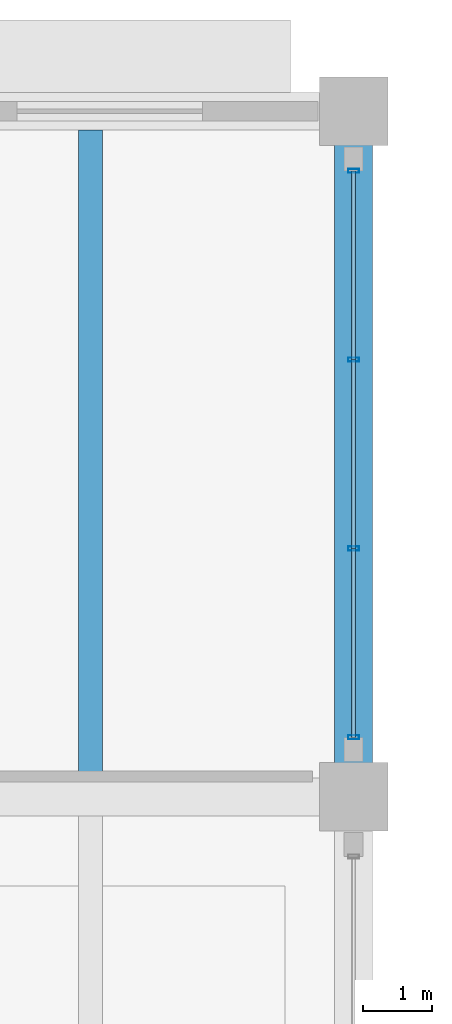
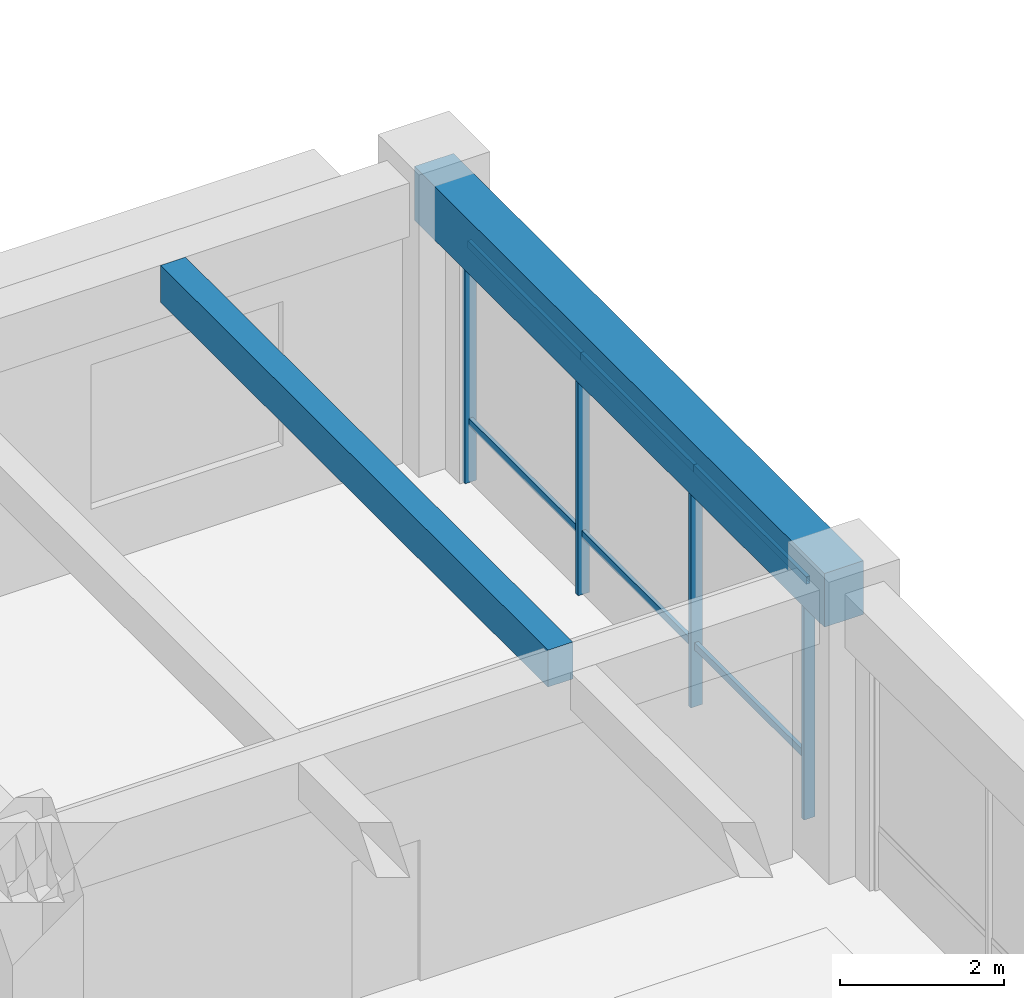
# One storey, part 90 of 154: 10 members, 2 beams, 1 element without a shape of its own.
"""IFC4 building model written with IfcOpenShell, lengths in metres."""

from ifc_helpers import new_model, si_unit, direction, frame, origin, origin_2d, place, context, subcontext, project, spatial, rectangle, hollow_rectangle, extrude, material, material_profile, profile_set, type_object, element, aggregate, save


model = new_model("IFC4")

# Units and contexts
model_context = context("Model", 3, precision=1e-05, world=origin(), true_north=direction((0.0, 1.0)))
body_context = subcontext(model_context, "Body", "Model", "MODEL_VIEW")
ifc_project = project(units=[si_unit("LENGTHUNIT", "METRE"), si_unit("AREAUNIT", "SQUARE_METRE"), si_unit("VOLUMEUNIT", "CUBIC_METRE"), si_unit("PLANEANGLEUNIT", "RADIAN"), si_unit("MASSUNIT", "GRAM", prefix="KILO")], contexts=[model_context])

# Site, building, storey
site_placement = place(None, origin())
site = spatial("IfcSite", under=ifc_project, at=site_placement, CompositionType="ELEMENT")
building_placement = place(site_placement, origin())
building = spatial("IfcBuilding", under=site, at=building_placement, Name="Ologun Quay Terminus", CompositionType="ELEMENT")
storey_placement = place(building_placement, frame((0.0, 0.0, 13.800048828125)))
storey = spatial("IfcBuildingStorey", under=building, at=storey_placement, Name="L03", CompositionType="ELEMENT", Elevation=13.800048828125)

# Curtain wall, members
ifc_material_1 = material(Name="Aluminium 6063-T6", Category="aluminium")
curtain_wall_type = type_object("IfcCurtainWallType", Name="Rain-Garden West Courtyard Curtain Wall L03 8200x4150", PredefinedType="USERDEFINED", material=ifc_material_1)
curtain_wall_placement = place(storey_placement, origin())
curtain_wall = element("IfcCurtainWall", 1, at=curtain_wall_placement, inside=storey, type_object=curtain_wall_type, Name="CW-16 Curtain Wall CW-L03-113", ObjectType="UNITISED CURTAIN WALL", PredefinedType="USERDEFINED")
ifc_material_2 = material(Name="Aluminium 6063-T6", Category="aluminium")
ifc_material_profile_1 = material_profile(ifc_material_2, hollow_rectangle(XDim=0.06005859375, YDim=0.159912109375, WallThickness=0.00390625, at=origin_2d()), Name="ALU 160x60x4")
ifc_profile_set_1 = profile_set([ifc_material_profile_1], Name="Aluminium 6063-T6")
member_type_1 = type_object("IfcMemberType", Name="Courtyard Screen Mullion 160x65", PredefinedType="MULLION", material=ifc_profile_set_1)
member_1_placement = place(storey_placement, frame((69.0, 105.669921875, 0.0), z_axis=(0.0, 0.0, 1.0), x_axis=(0.0, 1.0, 0.0)))
member_1 = element("IfcMember", 2, at=member_1_placement, type_object=member_type_1, Name="CW-L03-113 Mullion 1", PredefinedType="MULLION", context=body_context, shape_type="SweptSolid", body=[
    extrude(hollow_rectangle(XDim=0.06005859375, YDim=0.159912109375, WallThickness=0.00390625, at=origin_2d()), origin(), (0.0, 0.0, 1.0), 4.22998046875),
])
member_2_placement = place(storey_placement, frame((69.0, 108.42333984375, 0.0), z_axis=(0.0, 0.0, 1.0), x_axis=(0.0, 1.0, 0.0)))
member_2 = element("IfcMember", 3, at=member_2_placement, type_object=member_type_1, Name="CW-L03-113 Mullion 2", PredefinedType="MULLION", context=body_context, shape_type="SweptSolid", body=[
    extrude(hollow_rectangle(XDim=0.06005859375, YDim=0.159912109375, WallThickness=0.00390625, at=origin_2d()), origin(), (0.0, 0.0, 1.0), 4.22998046875),
])
member_3_placement = place(storey_placement, frame((69.0, 111.1767578125, 0.0), z_axis=(0.0, 0.0, 1.0), x_axis=(0.0, 1.0, 0.0)))
member_3 = element("IfcMember", 4, at=member_3_placement, type_object=member_type_1, Name="CW-L03-113 Mullion 3", PredefinedType="MULLION", context=body_context, shape_type="SweptSolid", body=[
    extrude(hollow_rectangle(XDim=0.06005859375, YDim=0.159912109375, WallThickness=0.00390625, at=origin_2d()), origin(), (0.0, 0.0, 1.0), 4.22998046875),
])
member_4_placement = place(storey_placement, frame((69.0, 113.929931640625, 0.0), z_axis=(0.0, 0.0, 1.0), x_axis=(0.0, 1.0, 0.0)))
member_4 = element("IfcMember", 5, at=member_4_placement, type_object=member_type_1, Name="CW-L03-113 Mullion 4", PredefinedType="MULLION", context=body_context, shape_type="SweptSolid", body=[
    extrude(hollow_rectangle(XDim=0.06005859375, YDim=0.159912109375, WallThickness=0.00390625, at=origin_2d()), origin(), (0.0, 0.0, 1.0), 4.22998046875),
])
ifc_material_3 = material(Name="Aluminium 6063-T6", Category="aluminium")
ifc_material_profile_2 = material_profile(ifc_material_3, hollow_rectangle(XDim=0.054931640625, YDim=0.110107421875, WallThickness=0.00390625, at=origin_2d()), Name="ALU 110x55x4")
ifc_profile_set_2 = profile_set([ifc_material_profile_2], Name="Aluminium 6063-T6")
member_type_2 = type_object("IfcMemberType", Name="Courtyard Screen Transom 110x55", PredefinedType="USERDEFINED", material=ifc_profile_set_2)
member_5_placement = place(storey_placement, frame((69.0, 105.669921875, 0.89990234375), z_axis=(0.0, 1.0, 0.0), x_axis=(-1.0, 0.0, 0.0)))
member_5 = element("IfcMember", 6, at=member_5_placement, type_object=member_type_2, Name="CW-L03-113 Transom B1-1", ObjectType="TRANSOM", PredefinedType="USERDEFINED", context=body_context, shape_type="SweptSolid", body=[
    extrude(hollow_rectangle(XDim=0.054931640625, YDim=0.110107421875, WallThickness=0.00390625, at=origin_2d()), origin(), (0.0, 0.0, 1.0), 2.75341796875),
])
member_6_placement = place(storey_placement, frame((69.0, 105.669921875, 3.530029296875), z_axis=(0.0, 1.0, 0.0), x_axis=(-1.0, 0.0, 0.0)))
member_6 = element("IfcMember", 7, at=member_6_placement, type_object=member_type_2, Name="CW-L03-113 Transom B1-2", ObjectType="TRANSOM", PredefinedType="USERDEFINED", context=body_context, shape_type="SweptSolid", body=[
    extrude(hollow_rectangle(XDim=0.054931640625, YDim=0.110107421875, WallThickness=0.00390625, at=origin_2d()), origin(), (0.0, 0.0, 1.0), 2.75341796875),
])
member_7_placement = place(storey_placement, frame((69.0, 108.42333984375, 0.89990234375), z_axis=(0.0, 1.0, 0.0), x_axis=(-1.0, 0.0, 0.0)))
member_7 = element("IfcMember", 8, at=member_7_placement, type_object=member_type_2, Name="CW-L03-113 Transom B2-1", ObjectType="TRANSOM", PredefinedType="USERDEFINED", context=body_context, shape_type="SweptSolid", body=[
    extrude(hollow_rectangle(XDim=0.054931640625, YDim=0.110107421875, WallThickness=0.00390625, at=origin_2d()), origin(), (0.0, 0.0, 1.0), 2.75341796875),
])
member_8_placement = place(storey_placement, frame((69.0, 108.42333984375, 3.530029296875), z_axis=(0.0, 1.0, 0.0), x_axis=(-1.0, 0.0, 0.0)))
member_8 = element("IfcMember", 9, at=member_8_placement, type_object=member_type_2, Name="CW-L03-113 Transom B2-2", ObjectType="TRANSOM", PredefinedType="USERDEFINED", context=body_context, shape_type="SweptSolid", body=[
    extrude(hollow_rectangle(XDim=0.054931640625, YDim=0.110107421875, WallThickness=0.00390625, at=origin_2d()), origin(), (0.0, 0.0, 1.0), 2.75341796875),
])
member_9_placement = place(storey_placement, frame((69.0, 111.1767578125, 0.89990234375), z_axis=(0.0, 1.0, 0.0), x_axis=(-1.0, 0.0, 0.0)))
member_9 = element("IfcMember", 10, at=member_9_placement, type_object=member_type_2, Name="CW-L03-113 Transom B3-1", ObjectType="TRANSOM", PredefinedType="USERDEFINED", context=body_context, shape_type="SweptSolid", body=[
    extrude(hollow_rectangle(XDim=0.054931640625, YDim=0.110107421875, WallThickness=0.00390625, at=origin_2d()), origin(), (0.0, 0.0, 1.0), 2.753173828125),
])
member_10_placement = place(storey_placement, frame((69.0, 111.1767578125, 3.530029296875), z_axis=(0.0, 1.0, 0.0), x_axis=(-1.0, 0.0, 0.0)))
member_10 = element("IfcMember", 11, at=member_10_placement, type_object=member_type_2, Name="CW-L03-113 Transom B3-2", ObjectType="TRANSOM", PredefinedType="USERDEFINED", context=body_context, shape_type="SweptSolid", body=[
    extrude(hollow_rectangle(XDim=0.054931640625, YDim=0.110107421875, WallThickness=0.00390625, at=origin_2d()), origin(), (0.0, 0.0, 1.0), 2.753173828125),
])
aggregate(curtain_wall, [member_1, member_2, member_3, member_4, member_5, member_6, member_7, member_8, member_9, member_10])

# Beams
ifc_material_4 = material(Name="Concrete C40/50", Category="concrete")
ifc_material_profile_3 = material_profile(ifc_material_4, rectangle(XDim=0.550048828125, YDim=0.800048828125, at=origin_2d()), Name="RC 550x800")
ifc_profile_set_3 = profile_set([ifc_material_profile_3], Name="Concrete C40/50")
beam_type_1 = type_object("IfcBeamType", Name="Courtyard Wing Primary Girder 550x800", PredefinedType="BEAM", material=ifc_profile_set_3)
beam_1_placement = place(storey_placement, frame((69.0, 104.800048828125, 3.849853515625), z_axis=(0.0, 1.0, 0.0), x_axis=(-1.0, 0.0, 0.0)))
element("IfcBeam", 12, at=beam_1_placement, inside=storey, type_object=beam_type_1, Name="B4 Beam 7/J L03", PredefinedType="BEAM", context=body_context, shape_type="SweptSolid", body=[
    extrude(rectangle(XDim=0.550048828125, YDim=0.800048828125, at=origin_2d()), origin(), (0.0, 0.0, 1.0), 10.0),
])
ifc_material_5 = material(Name="Concrete C40/50", Category="concrete")
ifc_material_profile_4 = material_profile(ifc_material_5, rectangle(XDim=0.35009765625, YDim=0.550048828125, at=origin_2d()), Name="RC 350x550")
ifc_profile_set_4 = profile_set([ifc_material_profile_4], Name="Concrete C40/50")
beam_type_2 = type_object("IfcBeamType", Name="Courtyard Wing Secondary Joist 350x550", PredefinedType="JOIST", material=ifc_profile_set_4)
beam_2_placement = place(storey_placement, frame((65.166748046875, 105.074951171875, 3.974853515625), z_axis=(0.0, 1.0, 0.0), x_axis=(-1.0, 0.0, 0.0)))
element("IfcBeam", 13, at=beam_2_placement, inside=storey, type_object=beam_type_2, Name="J2 Beam 6/J L03", PredefinedType="JOIST", context=body_context, shape_type="SweptSolid", body=[
    extrude(rectangle(XDim=0.35009765625, YDim=0.550048828125, at=origin_2d()), origin(), (0.0, 0.0, 1.0), 9.449951171875),
])

save(model, "model.ifc")
